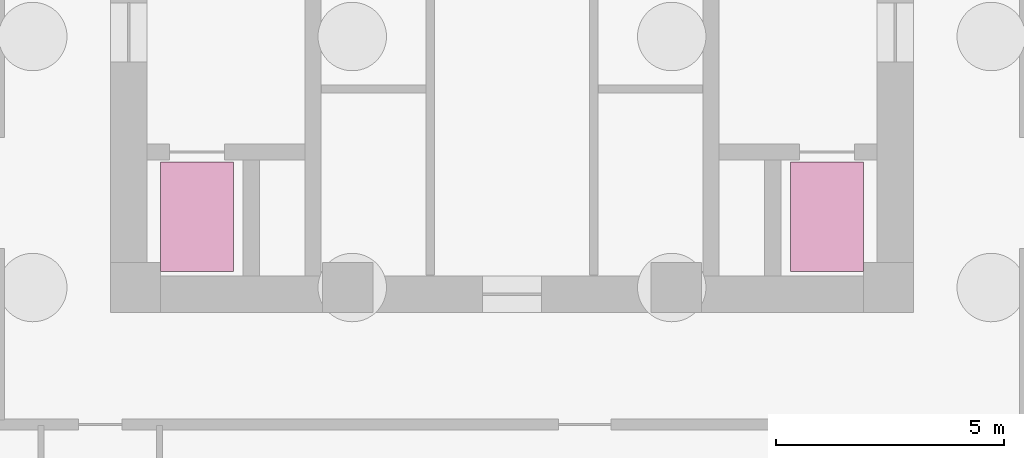
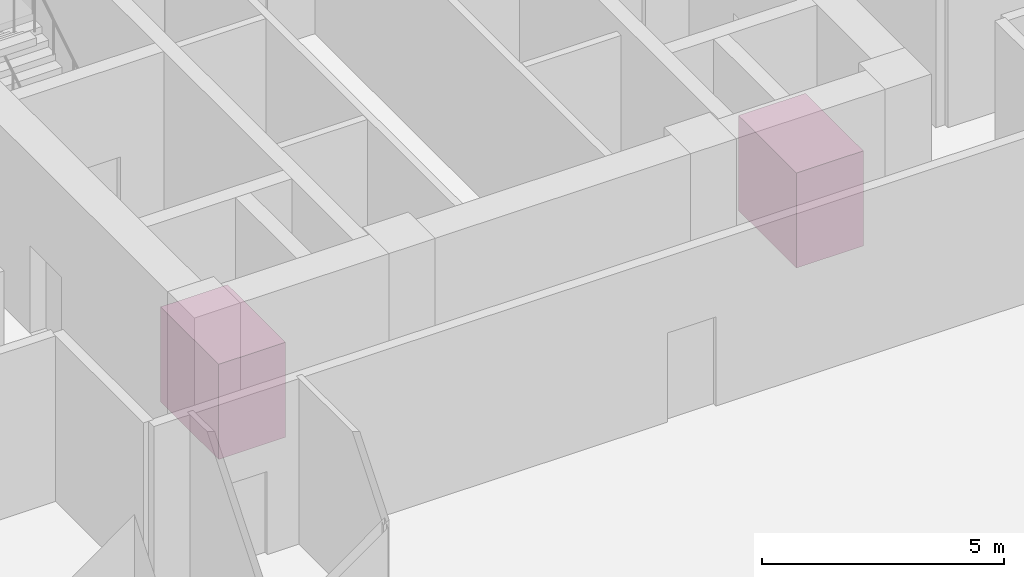
# One storey, part 8 of 8: 2 transport elements.
"""IFC4 building model written with IfcOpenShell, lengths in metres."""

from ifc_helpers import new_model, si_unit, direction, frame, origin, origin_2d, place, context, subcontext, project, spatial, rectangle, extrude, source, transform, mapped, material, type_object, element, save


model = new_model("IFC4")

# Units and contexts
model_context = context("Model", 3, precision=1e-05, world=origin(), true_north=direction((0.0, 1.0)))
body_context = subcontext(model_context, "Body", "Model", "MODEL_VIEW")
ifc_project = project(units=[si_unit("LENGTHUNIT", "METRE"), si_unit("AREAUNIT", "SQUARE_METRE"), si_unit("VOLUMEUNIT", "CUBIC_METRE"), si_unit("PLANEANGLEUNIT", "RADIAN"), si_unit("MASSUNIT", "GRAM", prefix="KILO"), si_unit("THERMODYNAMICTEMPERATUREUNIT", "KELVIN")], contexts=[model_context])

# Site, building, storey
site_placement = place(None, origin())
site = spatial("IfcSite", under=ifc_project, at=site_placement, CompositionType="ELEMENT")
building_placement = place(site_placement, origin())
building = spatial("IfcBuilding", under=site, at=building_placement, Name="Kosmvard Interchange Tower", CompositionType="ELEMENT")
storey_placement = place(building_placement, frame((0.0, 0.0, -9.0)))
storey = spatial("IfcBuildingStorey", under=building, at=storey_placement, Name="B02", CompositionType="ELEMENT", Elevation=-9.0)

# Transport elements
ifc_material = material(Name="Steel S355", Category="steel")
transport_element_type = type_object("IfcTransportElementType", Name="Priority Firefighting & Stretcher Lift Car 1600x2400", PredefinedType="ELEVATOR", material=ifc_material)
shared_shape = source(origin(), body_context, "Body", "SweptSolid", [
    extrude(rectangle(XDim=1.60009765625, YDim=2.39990234375, at=origin_2d()), origin(), (0.0, 0.0, 1.0), 2.39990234375),
])
for number, where, z_axis, x_axis, name in (
    (1, (-6.89990234375, -6.699951171875, 0.0), (0.0, 0.0, 1.0), (1.0, 0.0, 0.0), "Firefighting Priority Lift FF-1"),
    (2, (6.89990234375, -6.699951171875, 0.0), (0.0, 0.0, 1.0), (1.0, 0.0, 0.0), "Firefighting Priority Lift FF-2"),
):
    element("IfcTransportElement", number, at=place(storey_placement, frame(where, z_axis=z_axis, x_axis=x_axis)), inside=storey, type_object=transport_element_type, Name=name, PredefinedType="ELEVATOR", context=body_context, shape_type="MappedRepresentation", body=[
        mapped(shared_shape, transform((0.0, 0.0, 0.0), scale=1.0)),
    ])

save(model, "model.ifc")
